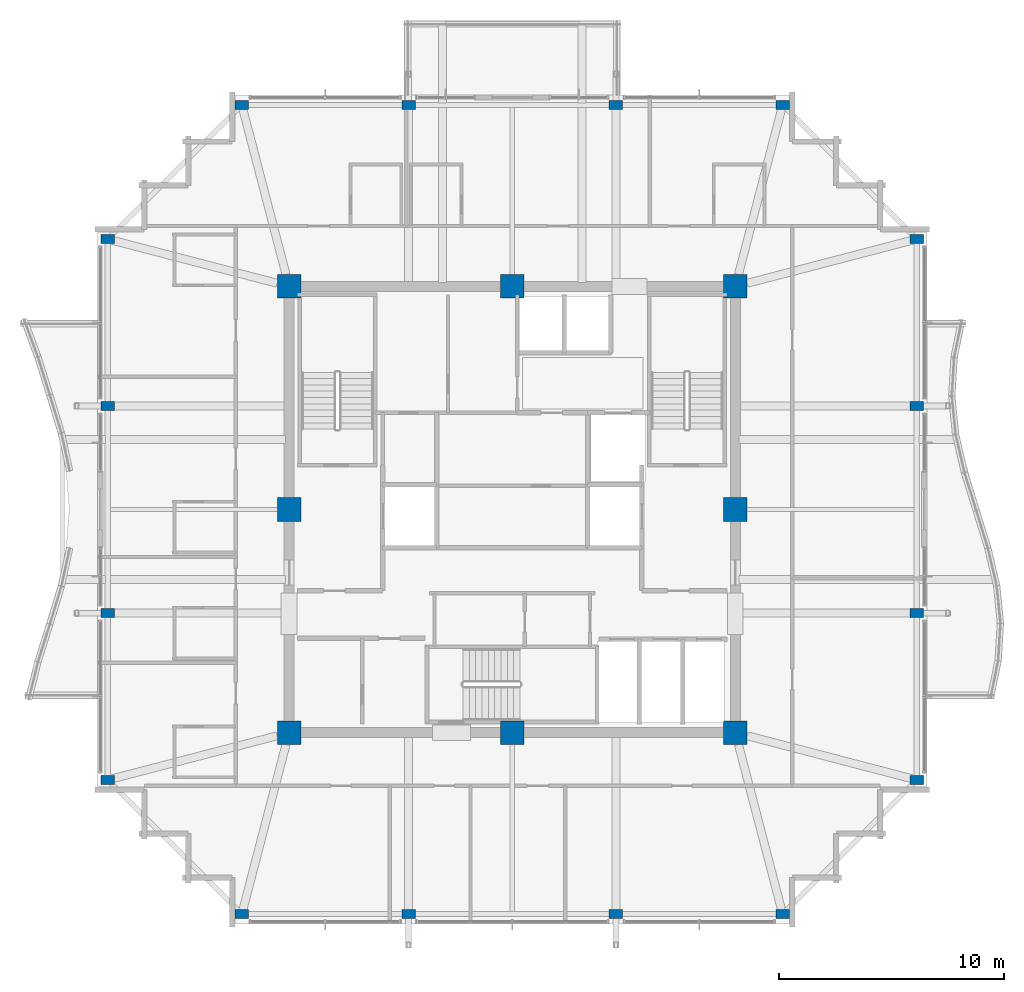
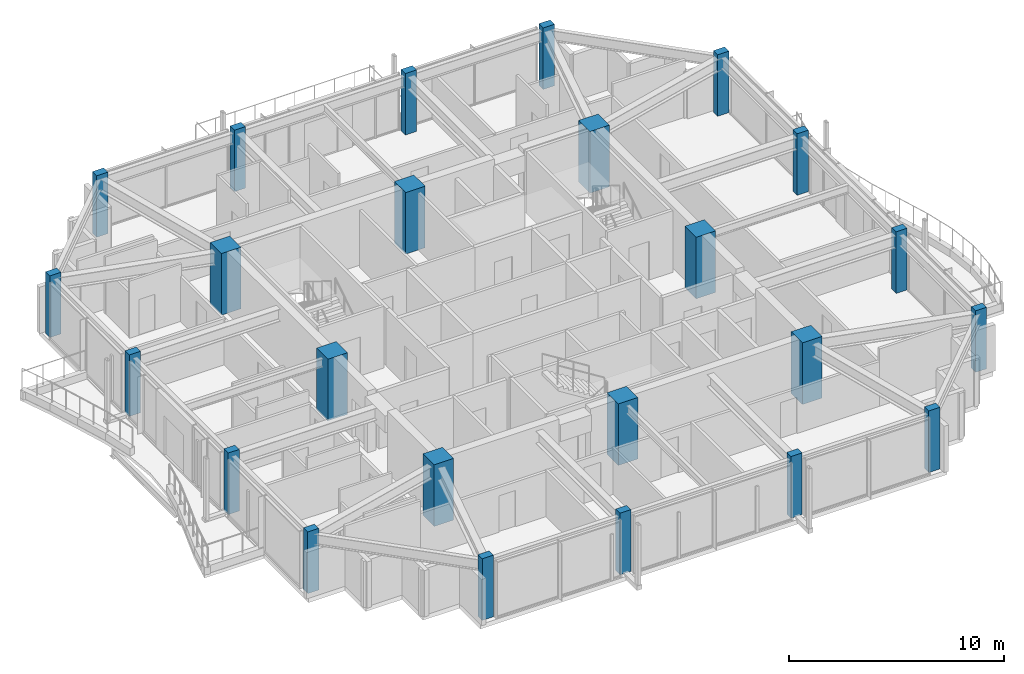
# One storey, part 1 of 31: 24 columns.
"""IFC4 building model written with IfcOpenShell, lengths in metres."""

from ifc_helpers import new_model, si_unit, direction, frame, origin, origin_2d, place, context, subcontext, project, spatial, rectangle, extrude, material, material_profile, profile_set, type_object, element, save


model = new_model("IFC4")

# Units and contexts
model_context = context("Model", 3, precision=1e-05, world=origin(), true_north=direction((0.0, 1.0)))
body_context = subcontext(model_context, "Body", "Model", "MODEL_VIEW")
ifc_project = project(units=[si_unit("LENGTHUNIT", "METRE"), si_unit("AREAUNIT", "SQUARE_METRE"), si_unit("VOLUMEUNIT", "CUBIC_METRE"), si_unit("PLANEANGLEUNIT", "RADIAN"), si_unit("MASSUNIT", "GRAM", prefix="KILO")], contexts=[model_context])

# Site, building, storey
site_placement = place(None, origin())
site = spatial("IfcSite", under=ifc_project, at=site_placement, CompositionType="ELEMENT")
building_placement = place(site_placement, origin())
building = spatial("IfcBuilding", under=site, at=building_placement, Name="Kolvaren Belvedere", CompositionType="ELEMENT")
storey_placement = place(building_placement, frame((0.0, 0.0, 251.39990234375)))
storey = spatial("IfcBuildingStorey", under=building, at=storey_placement, Name="L73", CompositionType="ELEMENT", Elevation=251.39990234375)

# Columns
ifc_material_1 = material(Name="Concrete C50/60", Category="concrete")
ifc_material_profile_1 = material_profile(ifc_material_1, rectangle(XDim=1.050048828125, YDim=1.050048828125, at=origin_2d()), Name="RC 1050X1050")
ifc_profile_set_1 = profile_set([ifc_material_profile_1], Name="Concrete C50/60")
column_type_1 = type_object("IfcColumnType", Name="COL-RC-1050", PredefinedType="COLUMN", material=ifc_profile_set_1)
for number, where, z_axis, x_axis, name in (
    (1, (-9.89990234375, -9.89990234375, 0.0), (0.0, 0.0, 1.0), (1.0, 0.0, 0.0), "L73 Core Column CC1"),
    (2, (9.89990234375, -9.89990234375, 0.0), (0.0, 0.0, 1.0), (1.0, 0.0, 0.0), "L73 Core Column CC2"),
    (3, (9.89990234375, 9.89990234375, 0.0), (0.0, 0.0, 1.0), (1.0, 0.0, 0.0), "L73 Core Column CC3"),
    (4, (-9.89990234375, 9.89990234375, 0.0), (0.0, 0.0, 1.0), (1.0, 0.0, 0.0), "L73 Core Column CC4"),
    (5, (0.0, -9.89990234375, 0.0), (0.0, 0.0, 1.0), (1.0, 0.0, 0.0), "L73 Core Column CM1"),
    (6, (9.89990234375, 0.0, 0.0), (0.0, 0.0, 1.0), (1.0, 0.0, 0.0), "L73 Core Column CM2"),
    (7, (0.0, 9.89990234375, 0.0), (0.0, 0.0, 1.0), (1.0, 0.0, 0.0), "L73 Core Column CM3"),
    (8, (-9.89990234375, 0.0, 0.0), (0.0, 0.0, 1.0), (1.0, 0.0, 0.0), "L73 Core Column CM4"),
):
    element("IfcColumn", number, at=place(storey_placement, frame(where, z_axis=z_axis, x_axis=x_axis)), inside=storey, type_object=column_type_1, Name=name, PredefinedType="COLUMN", context=body_context, shape_type="SweptSolid", body=[
        extrude(rectangle(XDim=1.050048828125, YDim=1.050048828125, at=origin_2d()), origin(), (0.0, 0.0, 1.0), 3.5),
    ])
ifc_material_2 = material(Name="Concrete C50/60", Category="concrete")
ifc_material_profile_2 = material_profile(ifc_material_2, rectangle(XDim=0.60009765625, YDim=0.39990234375, at=origin_2d()), Name="RC 600X400")
ifc_profile_set_2 = profile_set([ifc_material_profile_2], Name="Concrete C50/60")
column_type_2 = type_object("IfcColumnType", Name="COL-RC-600", PredefinedType="COLUMN", material=ifc_profile_set_2)
for number, where, z_axis, x_axis, name in (
    (9, (-12.0, -17.949951171875, 0.0), (0.0, 0.0, 1.0), (1.0, 0.0, 0.0), "L73 Perimeter Column S1"),
    (10, (-4.60009765625, -17.949951171875, 0.0), (0.0, 0.0, 1.0), (1.0, 0.0, 0.0), "L73 Perimeter Column S2"),
    (11, (4.60009765625, -17.949951171875, 0.0), (0.0, 0.0, 1.0), (1.0, 0.0, 0.0), "L73 Perimeter Column S3"),
    (12, (12.0, -17.949951171875, 0.0), (0.0, 0.0, 1.0), (1.0, 0.0, 0.0), "L73 Perimeter Column S4"),
    (13, (-12.0, 17.949951171875, 0.0), (0.0, 0.0, 1.0), (1.0, 0.0, 0.0), "L73 Perimeter Column N1"),
    (14, (-4.60009765625, 17.949951171875, 0.0), (0.0, 0.0, 1.0), (1.0, 0.0, 0.0), "L73 Perimeter Column N2"),
    (15, (4.60009765625, 17.949951171875, 0.0), (0.0, 0.0, 1.0), (1.0, 0.0, 0.0), "L73 Perimeter Column N3"),
    (16, (12.0, 17.949951171875, 0.0), (0.0, 0.0, 1.0), (1.0, 0.0, 0.0), "L73 Perimeter Column N4"),
    (17, (-17.949951171875, -12.0, 0.0), (0.0, 0.0, 1.0), (1.0, 0.0, 0.0), "L73 Perimeter Column W1"),
    (18, (-17.949951171875, -4.60009765625, 0.0), (0.0, 0.0, 1.0), (1.0, 0.0, 0.0), "L73 Perimeter Column W2"),
    (19, (-17.949951171875, 4.60009765625, 0.0), (0.0, 0.0, 1.0), (1.0, 0.0, 0.0), "L73 Perimeter Column W3"),
    (20, (-17.949951171875, 12.0, 0.0), (0.0, 0.0, 1.0), (1.0, 0.0, 0.0), "L73 Perimeter Column W4"),
    (21, (17.949951171875, -12.0, 0.0), (0.0, 0.0, 1.0), (1.0, 0.0, 0.0), "L73 Perimeter Column E1"),
    (22, (17.949951171875, -4.60009765625, 0.0), (0.0, 0.0, 1.0), (1.0, 0.0, 0.0), "L73 Perimeter Column E2"),
    (23, (17.949951171875, 4.60009765625, 0.0), (0.0, 0.0, 1.0), (1.0, 0.0, 0.0), "L73 Perimeter Column E3"),
    (24, (17.949951171875, 12.0, 0.0), (0.0, 0.0, 1.0), (1.0, 0.0, 0.0), "L73 Perimeter Column E4"),
):
    element("IfcColumn", number, at=place(storey_placement, frame(where, z_axis=z_axis, x_axis=x_axis)), inside=storey, type_object=column_type_2, Name=name, PredefinedType="COLUMN", context=body_context, shape_type="SweptSolid", body=[
        extrude(rectangle(XDim=0.60009765625, YDim=0.39990234375, at=origin_2d()), origin(), (0.0, 0.0, 1.0), 3.5),
    ])

save(model, "model.ifc")
